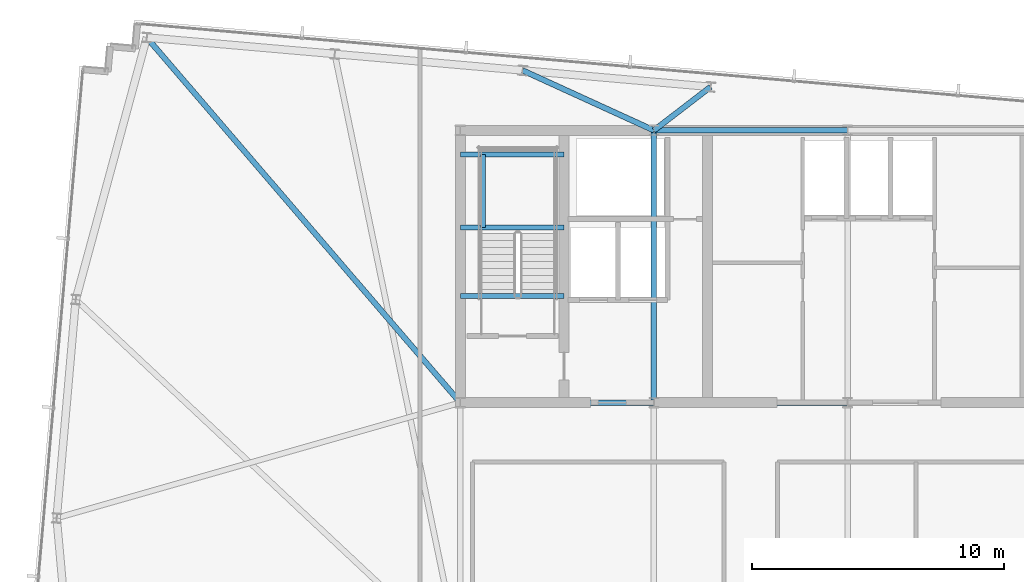
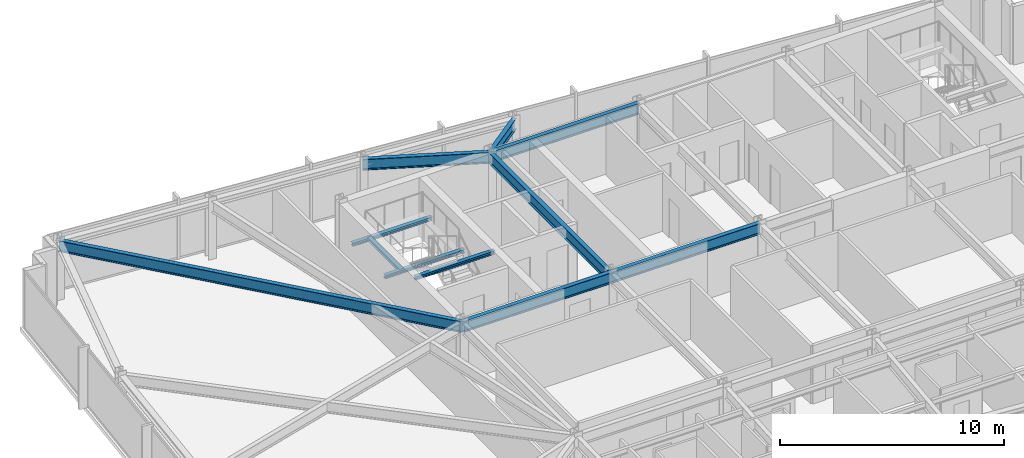
# One storey, part 12 of 33: 11 beams.
"""IFC4 building model written with IfcOpenShell, lengths in metres."""

from ifc_helpers import new_model, si_unit, direction, frame, origin, origin_2d, place, context, subcontext, project, spatial, i_section, extrude, material, material_profile, profile_set, type_object, element, save


model = new_model("IFC4")

# Units and contexts
model_context = context("Model", 3, precision=1e-05, world=origin(), true_north=direction((0.0, 1.0)))
body_context = subcontext(model_context, "Body", "Model", "MODEL_VIEW")
ifc_project = project(units=[si_unit("LENGTHUNIT", "METRE"), si_unit("AREAUNIT", "SQUARE_METRE"), si_unit("VOLUMEUNIT", "CUBIC_METRE"), si_unit("PLANEANGLEUNIT", "RADIAN"), si_unit("MASSUNIT", "GRAM", prefix="KILO")], contexts=[model_context])

# Site, building, storey
site_placement = place(None, origin())
site = spatial("IfcSite", under=ifc_project, at=site_placement, CompositionType="ELEMENT")
building_placement = place(site_placement, origin())
building = spatial("IfcBuilding", under=site, at=building_placement, Name="Yelkora Congress Tower", CompositionType="ELEMENT")
storey_placement = place(building_placement, frame((0.0, 0.0, 286.300048828125)))
storey = spatial("IfcBuildingStorey", under=building, at=storey_placement, Name="L80", CompositionType="ELEMENT", Elevation=286.300048828125)

# Beams
ifc_material = material(Name="Steel S355J2", Category="steel")
ifc_material_profile_1 = material_profile(ifc_material, i_section(OverallWidth=0.219970703125, OverallDepth=0.60009765625, WebThickness=0.011962890625, FlangeThickness=0.01904296875, FilletRadius=0.02392578125, at=origin_2d()), Name="IPE 600")
ifc_profile_set_1 = profile_set([ifc_material_profile_1], Name="Steel S355J2")
beam_type_1 = type_object("IfcBeamType", Name="BM-GIRD-IPE600", PredefinedType="BEAM", material=ifc_profile_set_1)
for number, where, z_axis, x_axis, name in (
    (1, (30.719970703125, 46.199951171875, 2.8798828125), (1.0, 0.0, 0.0), (0.0, 1.0, 0.0), "L80 Core North Girder 2"),
    (2, (23.0400390625, 35.39990234375, 2.8798828125), (1.0, 0.0, 0.0), (0.0, 1.0, 0.0), "L80 Core South Girder 1"),
    (3, (30.719970703125, 35.39990234375, 2.8798828125), (1.0, 0.0, 0.0), (0.0, 1.0, 0.0), "L80 Core South Girder 2"),
):
    element("IfcBeam", number, at=place(storey_placement, frame(where, z_axis=z_axis, x_axis=x_axis)), inside=storey, type_object=beam_type_1, Name=name, PredefinedType="BEAM", context=body_context, shape_type="SweptSolid", body=[
        extrude(i_section(OverallWidth=0.219970703125, OverallDepth=0.60009765625, WebThickness=0.011962890625, FlangeThickness=0.01904296875, FilletRadius=0.02392578125, at=origin_2d()), origin(), (0.0, 0.0, 1.0), 7.679931640625),
    ])
beam_1_placement = place(storey_placement, frame((30.719970703125, 35.39990234375, 2.8798828125), z_axis=(0.0, 1.0, 0.0), x_axis=(-1.0, 0.0, 0.0)))
element("IfcBeam", 4, at=beam_1_placement, inside=storey, type_object=beam_type_1, Name="L80 Core Tie Girder MC-S2", PredefinedType="BEAM", context=body_context, shape_type="SweptSolid", body=[
    extrude(i_section(OverallWidth=0.219970703125, OverallDepth=0.60009765625, WebThickness=0.011962890625, FlangeThickness=0.01904296875, FilletRadius=0.02392578125, at=origin_2d()), origin(), (0.0, 0.0, 1.0), 10.800048828125),
])
beam_2_placement = place(storey_placement, frame((10.60400390625, 49.884033203125, 2.8798828125), z_axis=(0.651427266579, -0.758711088859, 0.0), x_axis=(0.758711088859, 0.651427266579, 0.0)))
element("IfcBeam", 5, at=beam_2_placement, inside=storey, type_object=beam_type_1, Name="L80 Primary Frame Girder N01", PredefinedType="BEAM", context=body_context, shape_type="SweptSolid", body=[
    extrude(i_section(OverallWidth=0.219970703125, OverallDepth=0.60009765625, WebThickness=0.011962890625, FlangeThickness=0.01904296875, FilletRadius=0.02392578125, at=origin_2d()), origin(), (0.0, 0.0, 1.0), 19.09033203125),
])
beam_3_placement = place(storey_placement, frame((25.513916015625, 48.57958984375, 2.8798828125), z_axis=(0.909492445228, -0.415720449429, 0.0), x_axis=(0.415720449429, 0.909492445228, 0.0)))
element("IfcBeam", 6, at=beam_3_placement, inside=storey, type_object=beam_type_1, Name="L80 Primary Frame Girder N03", PredefinedType="BEAM", context=body_context, shape_type="SweptSolid", body=[
    extrude(i_section(OverallWidth=0.219970703125, OverallDepth=0.60009765625, WebThickness=0.011962890625, FlangeThickness=0.01904296875, FilletRadius=0.02392578125, at=origin_2d()), origin(), (0.0, 0.0, 1.0), 5.72412109375),
])
beam_4_placement = place(storey_placement, frame((32.968505859375, 47.927490234375, 2.8798828125), z_axis=(-0.792982335977, -0.609244626425, 0.0), x_axis=(0.609244626425, -0.792982335977, 0.0)))
element("IfcBeam", 7, at=beam_4_placement, inside=storey, type_object=beam_type_1, Name="L80 Primary Frame Girder N04", PredefinedType="BEAM", context=body_context, shape_type="SweptSolid", body=[
    extrude(i_section(OverallWidth=0.219970703125, OverallDepth=0.60009765625, WebThickness=0.011962890625, FlangeThickness=0.01904296875, FilletRadius=0.02392578125, at=origin_2d()), origin(), (0.0, 0.0, 1.0), 2.83544921875),
])
ifc_material_profile_2 = material_profile(ifc_material, i_section(OverallWidth=0.199951171875, OverallDepth=0.18994140625, WebThickness=0.006591796875, FlangeThickness=0.010009765625, FilletRadius=0.01806640625, at=origin_2d()), Name="HEA 200")
ifc_profile_set_2 = profile_set([ifc_material_profile_2], Name="Steel S355J2")
beam_type_2 = type_object("IfcBeamType", Name="BM-LAND-HEA200", PredefinedType="BEAM", material=ifc_profile_set_2)
for number, where, z_axis, x_axis, name in (
    (8, (23.0400390625, 42.340087890625, 1.384521484375), (1.0, 0.0, 0.0), (0.0, 1.0, 0.0), "ST-01 L80 Landing Header Beam 1S"),
    (9, (23.0400390625, 45.25, 1.384521484375), (1.0, 0.0, 0.0), (0.0, 1.0, 0.0), "ST-01 L80 Landing Header Beam 1N"),
):
    element("IfcBeam", number, at=place(storey_placement, frame(where, z_axis=z_axis, x_axis=x_axis)), inside=storey, type_object=beam_type_2, Name=name, PredefinedType="BEAM", context=body_context, shape_type="SweptSolid", body=[
        extrude(i_section(OverallWidth=0.199951171875, OverallDepth=0.18994140625, WebThickness=0.006591796875, FlangeThickness=0.010009765625, FilletRadius=0.01806640625, at=origin_2d()), origin(), (0.0, 0.0, 1.0), 4.10986328125),
    ])
beam_5_placement = place(storey_placement, frame((23.93994140625, 42.340087890625, 1.384521484375), z_axis=(0.0, 1.0, 0.0), x_axis=(-1.0, 0.0, 0.0)))
element("IfcBeam", 10, at=beam_5_placement, inside=storey, type_object=beam_type_2, Name="ST-01 L80 Landing Trimmer Beam 1M", PredefinedType="BEAM", context=body_context, shape_type="SweptSolid", body=[
    extrude(i_section(OverallWidth=0.199951171875, OverallDepth=0.18994140625, WebThickness=0.006591796875, FlangeThickness=0.010009765625, FilletRadius=0.01806640625, at=origin_2d()), origin(), (0.0, 0.0, 1.0), 2.909912109375),
])
beam_6_placement = place(storey_placement, frame((23.0400390625, 39.639892578125, 2.947265625), z_axis=(1.0, 0.0, 0.0), x_axis=(0.0, 1.0, 0.0)))
element("IfcBeam", 11, at=beam_6_placement, inside=storey, type_object=beam_type_2, Name="ST-01 L80 Floor Arrival Stringer Header Beam", PredefinedType="BEAM", context=body_context, shape_type="SweptSolid", body=[
    extrude(i_section(OverallWidth=0.199951171875, OverallDepth=0.18994140625, WebThickness=0.006591796875, FlangeThickness=0.010009765625, FilletRadius=0.01806640625, at=origin_2d()), origin(), (0.0, 0.0, 1.0), 4.10986328125),
])

save(model, "model.ifc")
